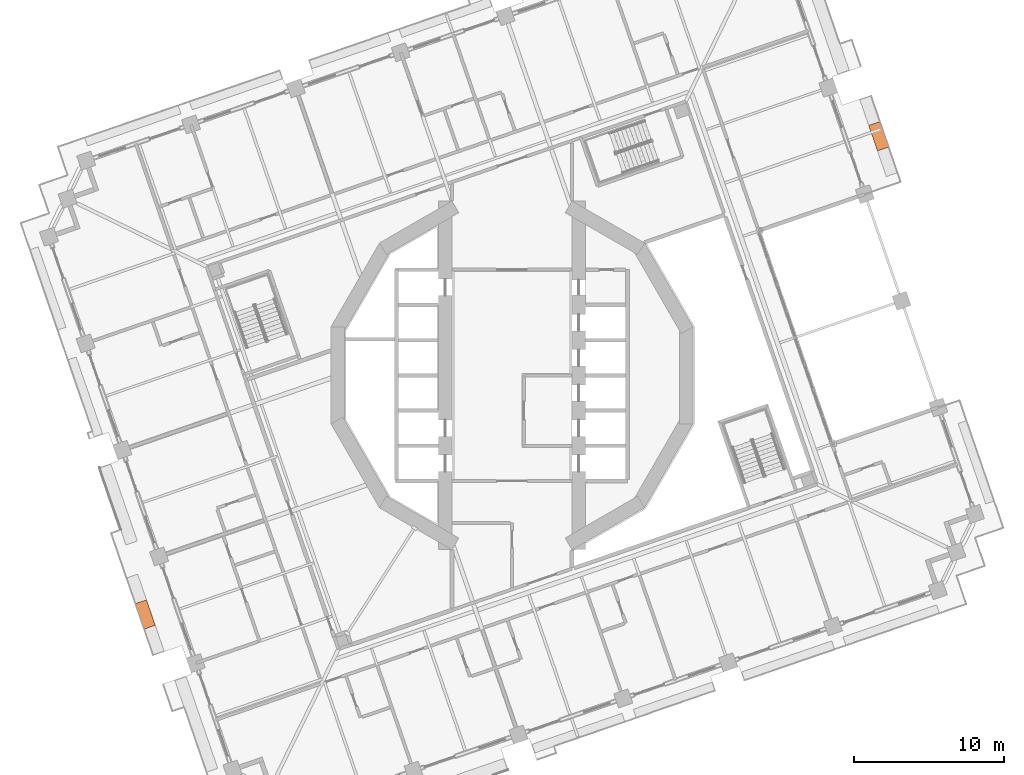
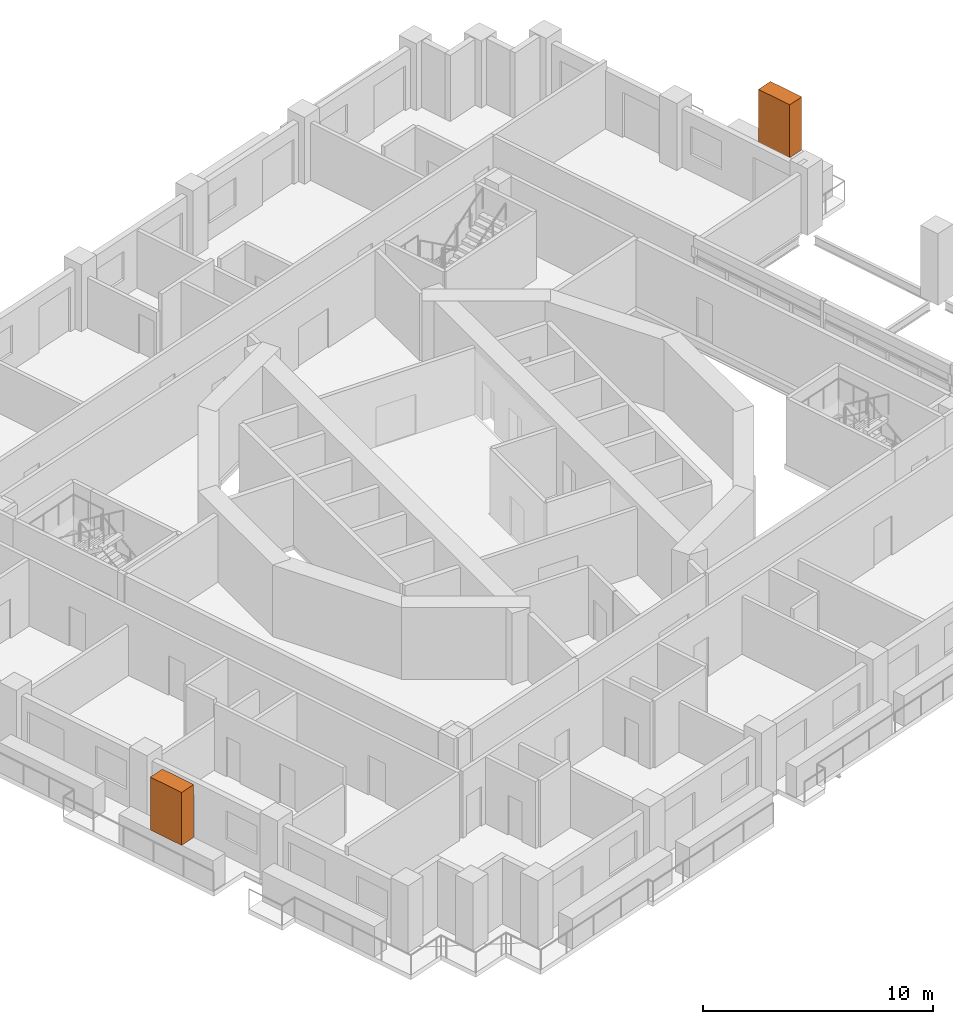
# One storey, part 22 of 22: 2 proxies.
"""IFC4 building model written with IfcOpenShell, lengths in metres."""

from ifc_helpers import new_model, si_unit, direction, frame, origin, origin_2d, place, context, subcontext, project, spatial, rectangle, extrude, element, save


model = new_model("IFC4")

# Units and contexts
model_context = context("Model", 3, precision=1e-05, world=origin(), true_north=direction((0.0, 1.0)))
body_context = subcontext(model_context, "Body", "Model", "MODEL_VIEW")
ifc_project = project(units=[si_unit("LENGTHUNIT", "METRE"), si_unit("AREAUNIT", "SQUARE_METRE"), si_unit("VOLUMEUNIT", "CUBIC_METRE"), si_unit("PLANEANGLEUNIT", "RADIAN"), si_unit("MASSUNIT", "GRAM", prefix="KILO")], contexts=[model_context])

# Site, building, storey
site_placement = place(None, origin())
site = spatial("IfcSite", under=ifc_project, at=site_placement, CompositionType="ELEMENT")
building_placement = place(site_placement, origin())
building = spatial("IfcBuilding", under=site, at=building_placement, Name="Cantera Rosa Tower", CompositionType="ELEMENT")
storey_placement = place(building_placement, frame((0.0, 0.0, 115.5)))
storey = spatial("IfcBuildingStorey", under=building, at=storey_placement, Name="L23", CompositionType="ELEMENT", Elevation=115.5)

# Proxies
for number, where, z_axis, x_axis, name in (
    (1, (24.47265625, 15.956787109375, 1.60009765625), (0.0, 0.0, 1.0), (-0.325568154457, 0.945518575599, 0.0), "TREE L23-04"),
    (2, (-24.47265625, -15.956787109375, 1.60009765625), (0.0, 0.0, 1.0), (0.325568154457, -0.945518575599, 0.0), "TREE L23-15"),
):
    element("IfcBuildingElementProxy", number, at=place(storey_placement, frame(where, z_axis=z_axis, x_axis=x_axis)), inside=storey, Name=name, ObjectType="TREE", PredefinedType="USERDEFINED", context=body_context, shape_type="SweptSolid", body=[
        extrude(rectangle(XDim=1.800048828125, YDim=0.800048828125, at=origin_2d()), origin(), (0.0, 0.0, 1.0), 2.800048828125),
    ])

save(model, "model.ifc")
